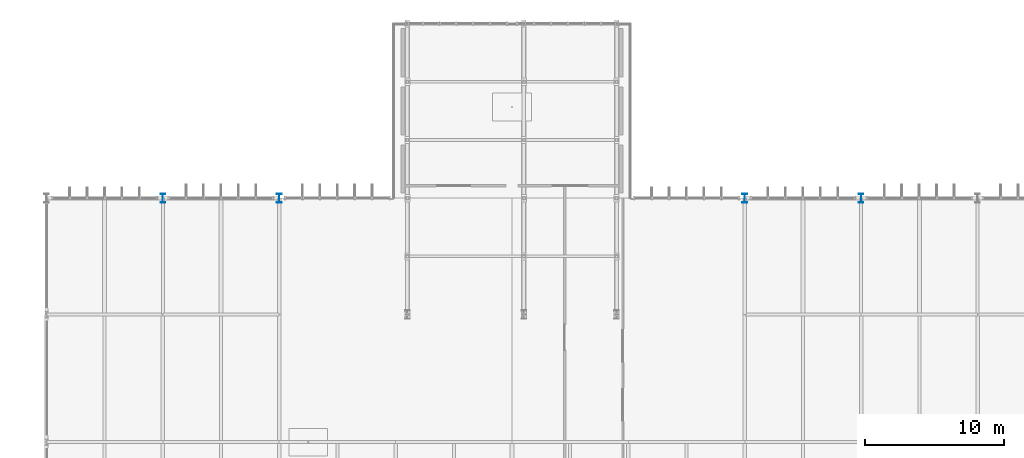
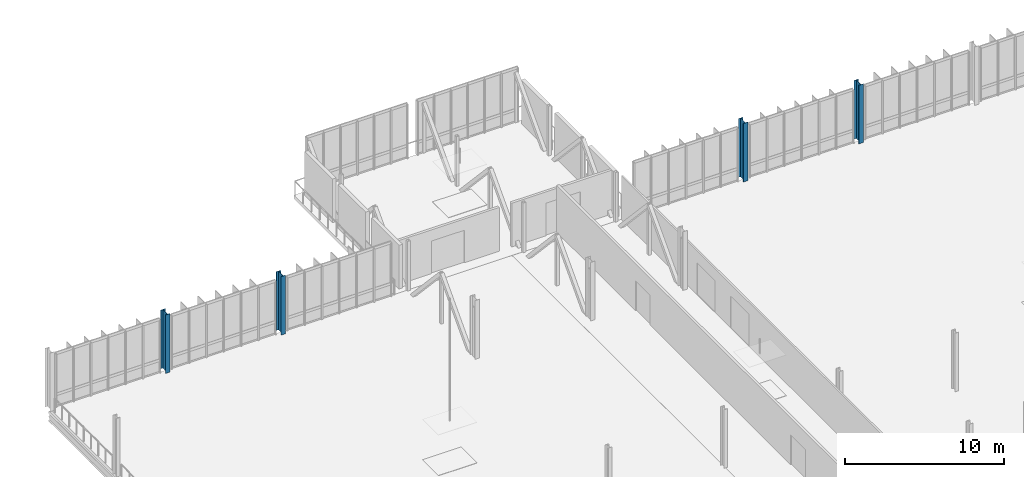
# One storey, part 12 of 139: 4 columns.
"""IFC4 building model written with IfcOpenShell, lengths in metres."""

from ifc_helpers import new_model, si_unit, derived_unit, direction, frame, origin, origin_2d, place, context, subcontext, project, spatial, i_section, extrude, material, material_profile, profile_set, type_object, element, save


model = new_model("IFC4")

# Units and contexts
model_context = context("Model", 3, precision=1e-05, world=origin(), true_north=direction((0.0, 1.0)))
body_context = subcontext(model_context, "Body", "Model", "MODEL_VIEW")
ifc_project = project(units=[si_unit("LENGTHUNIT", "METRE"), si_unit("AREAUNIT", "SQUARE_METRE"), si_unit("VOLUMEUNIT", "CUBIC_METRE"), si_unit("PLANEANGLEUNIT", "RADIAN"), si_unit("MASSUNIT", "GRAM", prefix="KILO"), derived_unit("THERMALTRANSMITTANCEUNIT", [(si_unit("MASSUNIT", "GRAM", prefix="KILO"), 1), (si_unit("TIMEUNIT", "SECOND"), -3), (si_unit("THERMODYNAMICTEMPERATUREUNIT", "KELVIN"), -1)])], contexts=[model_context])

# Site, building, storey
site_placement = place(None, origin())
site = spatial("IfcSite", under=ifc_project, at=site_placement, CompositionType="ELEMENT")
building_placement = place(site_placement, origin())
building = spatial("IfcBuilding", under=site, at=building_placement, Name="Makaiwela Harbour Ferry Terminal", CompositionType="ELEMENT")
storey_placement = place(building_placement, frame((0.0, 0.0, 5.10009765625)))
storey = spatial("IfcBuildingStorey", under=building, at=storey_placement, Name="L01", CompositionType="ELEMENT", Elevation=5.10009765625)

# Columns
ifc_material = material(Name="Steel ASTM A992 Grade 50", Category="steel")
ifc_material_profile = material_profile(ifc_material, i_section(OverallWidth=0.327880859375, OverallDepth=0.6279296875, WebThickness=0.0166015625, FlangeThickness=0.027587890625, at=origin_2d()), Name="W24X146")
ifc_profile_set = profile_set([ifc_material_profile], Name="Steel ASTM A992 Grade 50")
column_type = type_object("IfcColumnType", Name="STR-COL-W24X146", PredefinedType="COLUMN", material=ifc_profile_set)
for number, where, z_axis, x_axis, name in (
    (1, (71.39990234375, 103.39990234375, 0.0), (0.0, 0.0, 1.0), (1.0, 0.0, 0.0), "Structural Column C-01"),
    (2, (79.800048828125, 103.39990234375, 0.0), (0.0, 0.0, 1.0), (1.0, 0.0, 0.0), "Structural Column C-01"),
    (3, (113.39990234375, 103.39990234375, 0.0), (0.0, 0.0, 1.0), (1.0, 0.0, 0.0), "Structural Column C-01"),
    (4, (121.800048828125, 103.39990234375, 0.0), (0.0, 0.0, 1.0), (1.0, 0.0, 0.0), "Structural Column C-01"),
):
    element("IfcColumn", number, at=place(storey_placement, frame(where, z_axis=z_axis, x_axis=x_axis)), inside=storey, type_object=column_type, Name=name, PredefinedType="COLUMN", context=body_context, shape_type="SweptSolid", body=[
        extrude(i_section(OverallWidth=0.327880859375, OverallDepth=0.6279296875, WebThickness=0.0166015625, FlangeThickness=0.027587890625, at=origin_2d()), origin(), (0.0, 0.0, 1.0), 4.5),
    ])

save(model, "model.ifc")
